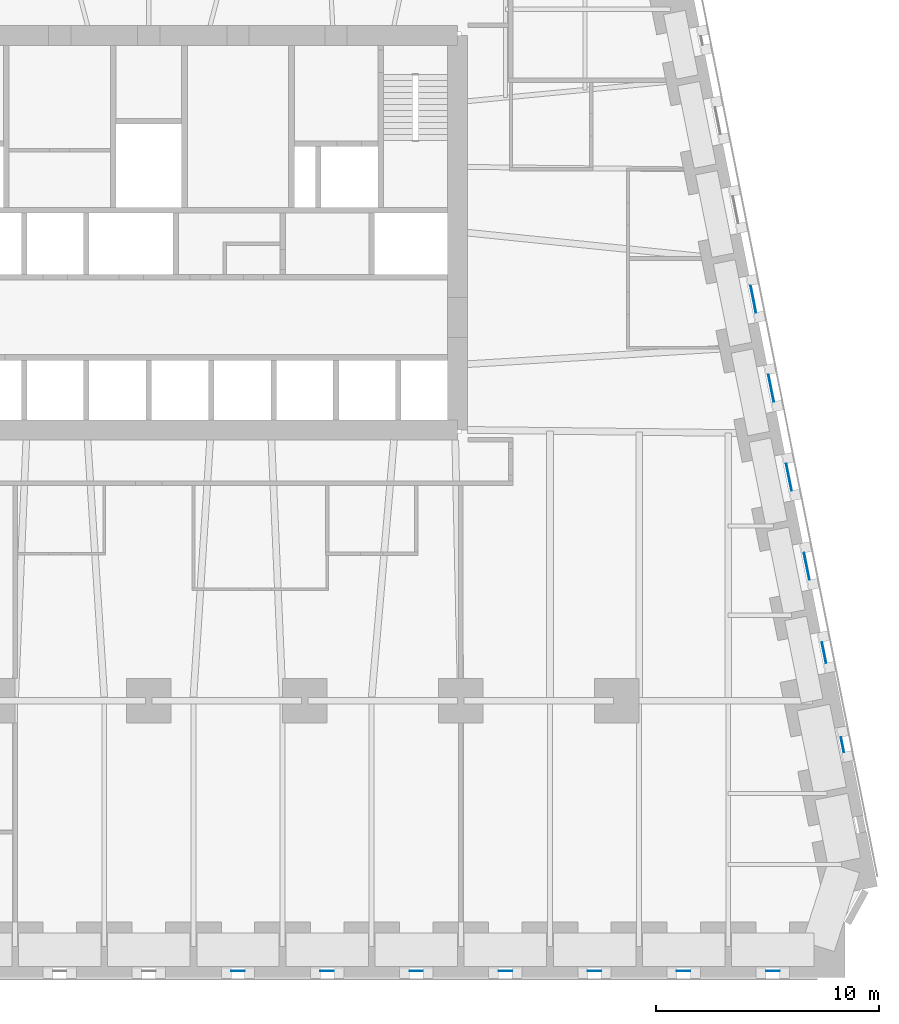
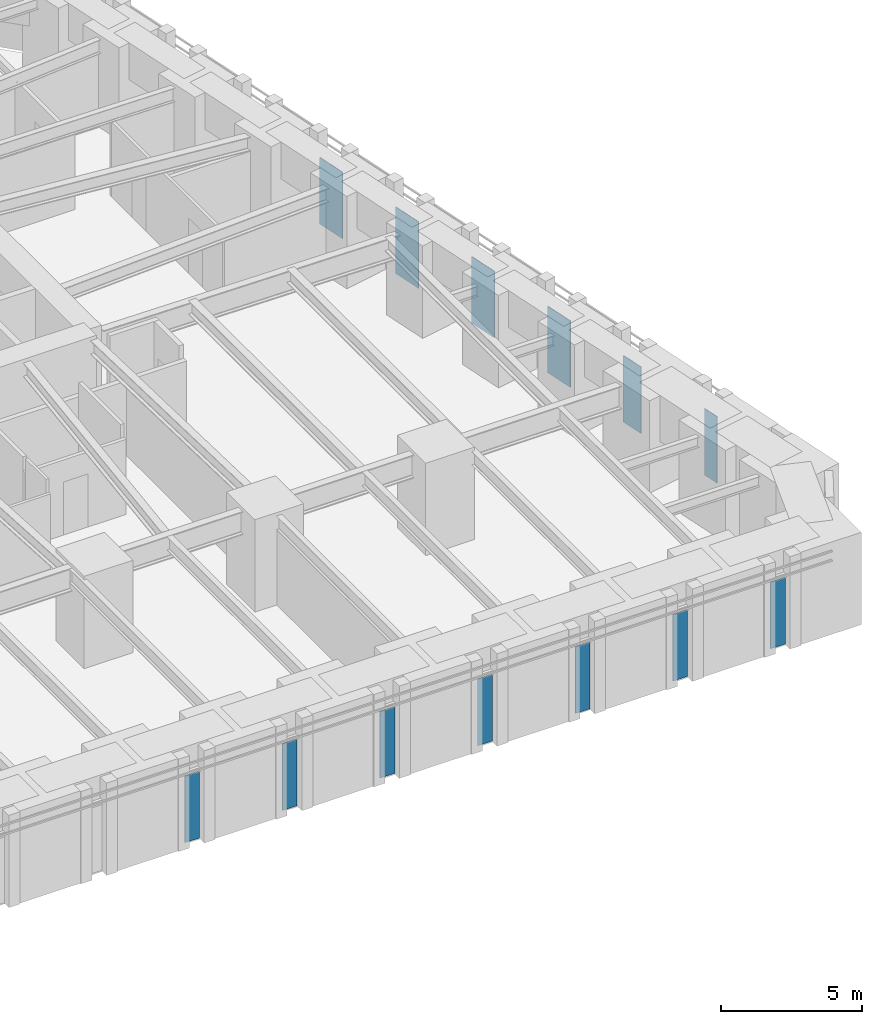
# One storey, part 8 of 16: 13 plates, 13 elements without a shape of their own.
"""IFC4 building model written with IfcOpenShell, lengths in metres."""

from ifc_helpers import new_model, si_unit, direction, frame, origin, origin_2d, place, context, subcontext, project, spatial, rectangle, extrude, material, layer, layer_set, type_object, element, aggregate, save


model = new_model("IFC4")

# Units and contexts
model_context = context("Model", 3, precision=1e-05, world=origin(), true_north=direction((0.0, 1.0)))
body_context = subcontext(model_context, "Body", "Model", "MODEL_VIEW")
ifc_project = project(units=[si_unit("LENGTHUNIT", "METRE"), si_unit("AREAUNIT", "SQUARE_METRE"), si_unit("VOLUMEUNIT", "CUBIC_METRE"), si_unit("PLANEANGLEUNIT", "RADIAN"), si_unit("MASSUNIT", "GRAM", prefix="KILO")], contexts=[model_context])

# Site, building, storey
site_placement = place(None, origin())
site = spatial("IfcSite", under=ifc_project, at=site_placement, CompositionType="ELEMENT")
building_placement = place(site_placement, origin())
building = spatial("IfcBuilding", under=site, at=building_placement, Name="Isbrekke Arena Tower", CompositionType="ELEMENT")
storey_placement = place(building_placement, frame((0.0, 0.0, 52.0)))
storey = spatial("IfcBuildingStorey", under=building, at=storey_placement, Name="L10", CompositionType="ELEMENT", Elevation=52.0)

# Curtain wall, plate
ifc_material_1 = material(Name="Glazed aluminium curtain wall", Category="aluminium")
curtain_wall_type = type_object("IfcCurtainWallType", Name="CWL TOWER CURTAIN WALL LOW ZONE", PredefinedType="USERDEFINED", material=ifc_material_1)
curtain_wall_1_placement = place(storey_placement, origin())
curtain_wall_1 = element("IfcCurtainWall", 1, at=curtain_wall_1_placement, inside=storey, type_object=curtain_wall_type, Name="CWL curtain wall L10-S17", ObjectType="TOWER CURTAIN WALL LOW ZONE", PredefinedType="USERDEFINED")
ifc_material_2 = material(Name="Triple-glazed clear glass unit", Category="glass")
ifc_layer = layer(ifc_material_2, 0.031982421875)
ifc_layer_set = layer_set([ifc_layer], Name="CWL-P VISION PANEL")
plate_type = type_object("IfcPlateType", Name="CWL-P VISION PANEL", PredefinedType="CURTAIN_PANEL", material=ifc_layer_set)
plate_1_placement = place(storey_placement, frame((4.0, -18.125, 0.02001953125), z_axis=(0.0, 0.0, 1.0), x_axis=(1.0, 0.0, 0.0)))
plate_1 = element("IfcPlate", 2, at=plate_1_placement, type_object=plate_type, Name="CWL-P panel 1", PredefinedType="CURTAIN_PANEL", context=body_context, shape_type="SweptSolid", body=[
    extrude(rectangle(XDim=0.60009765625, YDim=0.031982421875, at=origin_2d()), origin(), (0.0, 0.0, 1.0), 2.8798828125),
])
aggregate(curtain_wall_1, [plate_1])

curtain_wall_2_placement = place(storey_placement, origin())
curtain_wall_2 = element("IfcCurtainWall", 3, at=curtain_wall_2_placement, inside=storey, type_object=curtain_wall_type, Name="CWL curtain wall L10-S19", ObjectType="TOWER CURTAIN WALL LOW ZONE", PredefinedType="USERDEFINED")
plate_2_placement = place(storey_placement, frame((8.0, -18.125, 0.02001953125), z_axis=(0.0, 0.0, 1.0), x_axis=(1.0, 0.0, 0.0)))
plate_2 = element("IfcPlate", 4, at=plate_2_placement, type_object=plate_type, Name="CWL-P panel 1", PredefinedType="CURTAIN_PANEL", context=body_context, shape_type="SweptSolid", body=[
    extrude(rectangle(XDim=0.60009765625, YDim=0.031982421875, at=origin_2d()), origin(), (0.0, 0.0, 1.0), 2.8798828125),
])
aggregate(curtain_wall_2, [plate_2])

curtain_wall_3_placement = place(storey_placement, origin())
curtain_wall_3 = element("IfcCurtainWall", 5, at=curtain_wall_3_placement, inside=storey, type_object=curtain_wall_type, Name="CWL curtain wall L10-S21", ObjectType="TOWER CURTAIN WALL LOW ZONE", PredefinedType="USERDEFINED")
plate_3_placement = place(storey_placement, frame((12.0, -18.125, 0.02001953125), z_axis=(0.0, 0.0, 1.0), x_axis=(1.0, 0.0, 0.0)))
plate_3 = element("IfcPlate", 6, at=plate_3_placement, type_object=plate_type, Name="CWL-P panel 1", PredefinedType="CURTAIN_PANEL", context=body_context, shape_type="SweptSolid", body=[
    extrude(rectangle(XDim=0.60009765625, YDim=0.031982421875, at=origin_2d()), origin(), (0.0, 0.0, 1.0), 2.8798828125),
])
aggregate(curtain_wall_3, [plate_3])

curtain_wall_4_placement = place(storey_placement, origin())
curtain_wall_4 = element("IfcCurtainWall", 7, at=curtain_wall_4_placement, inside=storey, type_object=curtain_wall_type, Name="CWL curtain wall L10-S23", ObjectType="TOWER CURTAIN WALL LOW ZONE", PredefinedType="USERDEFINED")
plate_4_placement = place(storey_placement, frame((16.0, -18.125, 0.02001953125), z_axis=(0.0, 0.0, 1.0), x_axis=(1.0, 0.0, 0.0)))
plate_4 = element("IfcPlate", 8, at=plate_4_placement, type_object=plate_type, Name="CWL-P panel 1", PredefinedType="CURTAIN_PANEL", context=body_context, shape_type="SweptSolid", body=[
    extrude(rectangle(XDim=0.60009765625, YDim=0.031982421875, at=origin_2d()), origin(), (0.0, 0.0, 1.0), 2.8798828125),
])
aggregate(curtain_wall_4, [plate_4])

curtain_wall_5_placement = place(storey_placement, origin())
curtain_wall_5 = element("IfcCurtainWall", 9, at=curtain_wall_5_placement, inside=storey, type_object=curtain_wall_type, Name="CWL curtain wall L10-S25", ObjectType="TOWER CURTAIN WALL LOW ZONE", PredefinedType="USERDEFINED")
plate_5_placement = place(storey_placement, frame((20.0, -18.125, 0.02001953125), z_axis=(0.0, 0.0, 1.0), x_axis=(1.0, 0.0, 0.0)))
plate_5 = element("IfcPlate", 10, at=plate_5_placement, type_object=plate_type, Name="CWL-P panel 1", PredefinedType="CURTAIN_PANEL", context=body_context, shape_type="SweptSolid", body=[
    extrude(rectangle(XDim=0.60009765625, YDim=0.031982421875, at=origin_2d()), origin(), (0.0, 0.0, 1.0), 2.8798828125),
])
aggregate(curtain_wall_5, [plate_5])

curtain_wall_6_placement = place(storey_placement, origin())
curtain_wall_6 = element("IfcCurtainWall", 11, at=curtain_wall_6_placement, inside=storey, type_object=curtain_wall_type, Name="CWL curtain wall L10-S27", ObjectType="TOWER CURTAIN WALL LOW ZONE", PredefinedType="USERDEFINED")
plate_6_placement = place(storey_placement, frame((24.0, -18.125, 0.02001953125), z_axis=(0.0, 0.0, 1.0), x_axis=(1.0, 0.0, 0.0)))
plate_6 = element("IfcPlate", 12, at=plate_6_placement, type_object=plate_type, Name="CWL-P panel 1", PredefinedType="CURTAIN_PANEL", context=body_context, shape_type="SweptSolid", body=[
    extrude(rectangle(XDim=0.60009765625, YDim=0.031982421875, at=origin_2d()), origin(), (0.0, 0.0, 1.0), 2.8798828125),
])
aggregate(curtain_wall_6, [plate_6])

curtain_wall_7_placement = place(storey_placement, origin())
curtain_wall_7 = element("IfcCurtainWall", 13, at=curtain_wall_7_placement, inside=storey, type_object=curtain_wall_type, Name="CWL curtain wall L10-S29", ObjectType="TOWER CURTAIN WALL LOW ZONE", PredefinedType="USERDEFINED")
plate_7_placement = place(storey_placement, frame((28.0009765625, -18.125, 0.02001953125), z_axis=(0.0, 0.0, 1.0), x_axis=(1.0, 0.0, 0.0)))
plate_7 = element("IfcPlate", 14, at=plate_7_placement, type_object=plate_type, Name="CWL-P panel 1", PredefinedType="CURTAIN_PANEL", context=body_context, shape_type="SweptSolid", body=[
    extrude(rectangle(XDim=0.60205078125, YDim=0.031982421875, at=origin_2d()), origin(), (0.0, 0.0, 1.0), 2.8798828125),
])
aggregate(curtain_wall_7, [plate_7])

curtain_wall_8_placement = place(storey_placement, origin())
curtain_wall_8 = element("IfcCurtainWall", 15, at=curtain_wall_8_placement, inside=storey, type_object=curtain_wall_type, Name="CWL curtain wall L10-E3", ObjectType="TOWER CURTAIN WALL LOW ZONE", PredefinedType="USERDEFINED")
plate_8_placement = place(storey_placement, frame((31.12255859375, -7.9755859375, 0.02001953125), z_axis=(0.0, 0.0, 1.0), x_axis=(-0.196116135138, 0.980580675691, 0.0)))
plate_8 = element("IfcPlate", 16, at=plate_8_placement, type_object=plate_type, Name="CWL-P panel 1", PredefinedType="CURTAIN_PANEL", context=body_context, shape_type="SweptSolid", body=[
    extrude(rectangle(XDim=0.67919921875, YDim=0.031982421875, at=origin_2d()), origin(), (0.0, 0.0, 1.0), 2.8798828125),
])
aggregate(curtain_wall_8, [plate_8])

curtain_wall_9_placement = place(storey_placement, origin())
curtain_wall_9 = element("IfcCurtainWall", 17, at=curtain_wall_9_placement, inside=storey, type_object=curtain_wall_type, Name="CWL curtain wall L10-E5", ObjectType="TOWER CURTAIN WALL LOW ZONE", PredefinedType="USERDEFINED")
plate_9_placement = place(storey_placement, frame((30.295654296875, -3.840576171875, 0.02001953125), z_axis=(0.0, 0.0, 1.0), x_axis=(-0.196116135138, 0.980580675691, 0.0)))
plate_9 = element("IfcPlate", 18, at=plate_9_placement, type_object=plate_type, Name="CWL-P panel 1", PredefinedType="CURTAIN_PANEL", context=body_context, shape_type="SweptSolid", body=[
    extrude(rectangle(XDim=0.9541015625, YDim=0.031982421875, at=origin_2d()), origin(), (0.0, 0.0, 1.0), 2.8798828125),
])
aggregate(curtain_wall_9, [plate_9])

curtain_wall_10_placement = place(storey_placement, origin())
curtain_wall_10 = element("IfcCurtainWall", 19, at=curtain_wall_10_placement, inside=storey, type_object=curtain_wall_type, Name="CWL curtain wall L10-E7", ObjectType="TOWER CURTAIN WALL LOW ZONE", PredefinedType="USERDEFINED")
plate_10_placement = place(storey_placement, frame((29.5224609375, 0.0244140625, 0.02001953125), z_axis=(0.0, 0.0, 1.0), x_axis=(-0.196116135138, 0.980580675691, 0.0)))
plate_10 = element("IfcPlate", 20, at=plate_10_placement, type_object=plate_type, Name="CWL-P panel 1", PredefinedType="CURTAIN_PANEL", context=body_context, shape_type="SweptSolid", body=[
    extrude(rectangle(XDim=1.229248046875, YDim=0.031982421875, at=origin_2d()), origin(), (0.0, 0.0, 1.0), 2.8798828125),
])
aggregate(curtain_wall_10, [plate_10])

curtain_wall_11_placement = place(storey_placement, origin())
curtain_wall_11 = element("IfcCurtainWall", 21, at=curtain_wall_11_placement, inside=storey, type_object=curtain_wall_type, Name="CWL curtain wall L10-E9", ObjectType="TOWER CURTAIN WALL LOW ZONE", PredefinedType="USERDEFINED")
plate_11_placement = place(storey_placement, frame((28.72265625, 4.0244140625, 0.02001953125), z_axis=(0.0, 0.0, 1.0), x_axis=(-0.196116135138, 0.980580675691, 0.0)))
plate_11 = element("IfcPlate", 22, at=plate_11_placement, type_object=plate_type, Name="CWL-P panel 1", PredefinedType="CURTAIN_PANEL", context=body_context, shape_type="SweptSolid", body=[
    extrude(rectangle(XDim=1.229248046875, YDim=0.031982421875, at=origin_2d()), origin(), (0.0, 0.0, 1.0), 2.8798828125),
])
aggregate(curtain_wall_11, [plate_11])

curtain_wall_12_placement = place(storey_placement, origin())
curtain_wall_12 = element("IfcCurtainWall", 23, at=curtain_wall_12_placement, inside=storey, type_object=curtain_wall_type, Name="CWL curtain wall L10-E11", ObjectType="TOWER CURTAIN WALL LOW ZONE", PredefinedType="USERDEFINED")
plate_12_placement = place(storey_placement, frame((27.922607421875, 8.0244140625, 0.02001953125), z_axis=(0.0, 0.0, 1.0), x_axis=(-0.196116135138, 0.980580675691, 0.0)))
plate_12 = element("IfcPlate", 24, at=plate_12_placement, type_object=plate_type, Name="CWL-P panel 1", PredefinedType="CURTAIN_PANEL", context=body_context, shape_type="SweptSolid", body=[
    extrude(rectangle(XDim=1.229248046875, YDim=0.031982421875, at=origin_2d()), origin(), (0.0, 0.0, 1.0), 2.8798828125),
])
aggregate(curtain_wall_12, [plate_12])

curtain_wall_13_placement = place(storey_placement, origin())
curtain_wall_13 = element("IfcCurtainWall", 25, at=curtain_wall_13_placement, inside=storey, type_object=curtain_wall_type, Name="CWL curtain wall L10-E13", ObjectType="TOWER CURTAIN WALL LOW ZONE", PredefinedType="USERDEFINED")
plate_13_placement = place(storey_placement, frame((27.12255859375, 12.0244140625, 0.02001953125), z_axis=(0.0, 0.0, 1.0), x_axis=(-0.196116135138, 0.980580675691, 0.0)))
plate_13 = element("IfcPlate", 26, at=plate_13_placement, type_object=plate_type, Name="CWL-P panel 1", PredefinedType="CURTAIN_PANEL", context=body_context, shape_type="SweptSolid", body=[
    extrude(rectangle(XDim=1.229248046875, YDim=0.031982421875, at=origin_2d()), origin(), (0.0, 0.0, 1.0), 2.8798828125),
])
aggregate(curtain_wall_13, [plate_13])

save(model, "model.ifc")
